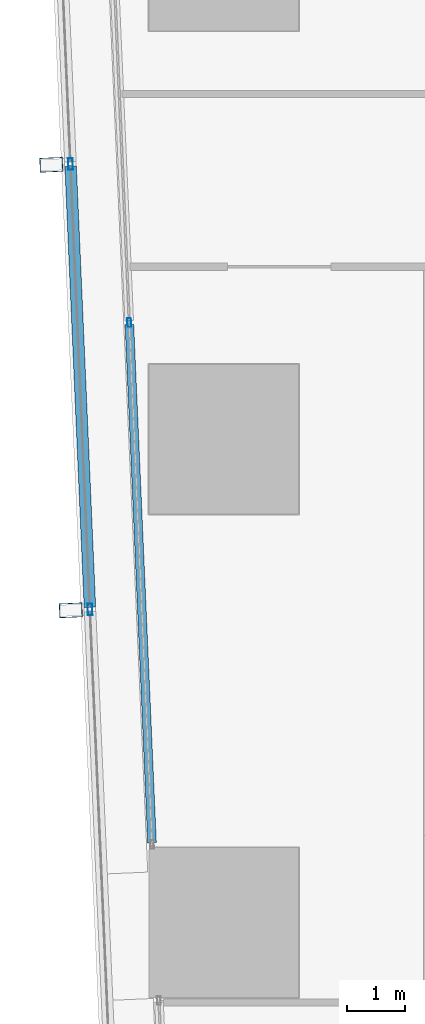
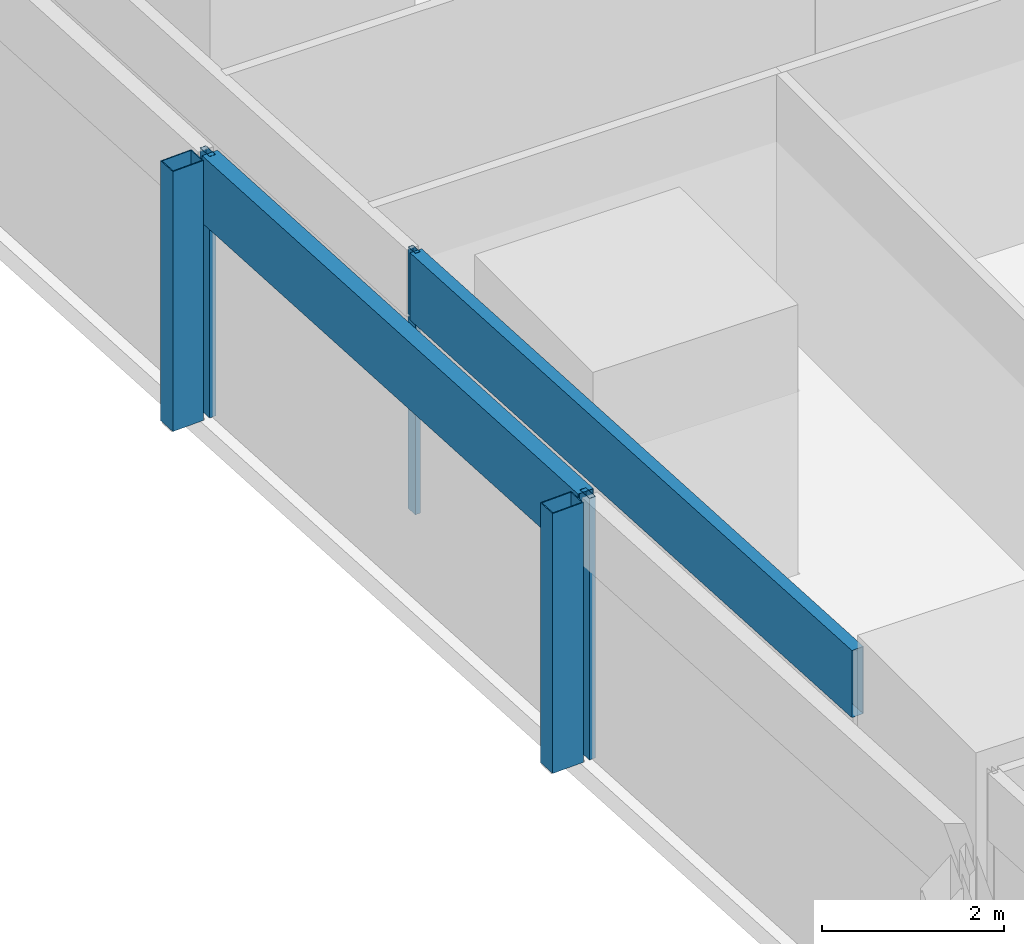
# One storey, part 7 of 46: 7 members, 2 elements without a shape of their own.
"""IFC4 building model written with IfcOpenShell, lengths in metres."""

import ifcopenshell
import ifcopenshell.guid

model = None  # the IFC model being written
_history = None  # IfcOwnerHistory: only IFC2X3 demands one
_inside = {}  # id of a spatial element -> (the spatial element, [elements in it])
_under = {}  # id of a project, library or spatial element -> (it, [spatial elements below it])
_declared = {}  # id of a project -> (the project, [libraries it declares])
_typed = {}  # id of a type object -> (the type object, [elements of that type])
_made_of = {}  # id of a material, layer set ... -> (it, [elements and type objects made of it])


def new_model(schema):
    """Start an empty IFC model of exactly this schema.

    Asked for "IFC4X3", IfcOpenShell would pick the latest addendum, in which some entities
    have other attributes; the version numbers below select the first issue.
    IFC2X3 requires an IfcOwnerHistory on every rooted entity: one is made here for all.
    """
    global model, _history
    if schema == "IFC4X3":
        model = ifcopenshell.file(schema_version=(4, 3, 0, 0))
    else:
        model = ifcopenshell.file(schema=schema)
    _inside.clear()
    _under.clear()
    _declared.clear()
    _typed.clear()
    _made_of.clear()
    _history = None
    if model.schema == "IFC2X3":
        org = make("IfcOrganization", Name="unknown")
        user = make(
            "IfcPersonAndOrganization",
            ThePerson=make("IfcPerson", FamilyName="unknown"),
            TheOrganization=org,
        )
        app = make(
            "IfcApplication",
            ApplicationDeveloper=org,
            Version="unknown",
            ApplicationFullName="unknown",
            ApplicationIdentifier="unknown",
        )
        _history = make(
            "IfcOwnerHistory",
            OwningUser=user,
            OwningApplication=app,
            ChangeAction="ADDED",
            CreationDate=0,
        )
    return model


def make(cls, **values):
    """One entity of the class cls with the attributes given. An attribute that is None is left unset."""
    return model.create_entity(
        cls, **{name: value for name, value in values.items() if value is not None}
    )


def rooted(cls, **values):
    """An entity with a GlobalId (a new one), such as an element, a storey or a relation."""
    return make(cls, GlobalId=ifcopenshell.guid.new(), OwnerHistory=_history, **values)


def si_unit(unit_type, name, prefix=None):
    """IfcSIUnit, for example si_unit("LENGTHUNIT", "METRE", prefix="MILLI")."""
    return make("IfcSIUnit", UnitType=unit_type, Prefix=prefix, Name=name)


def assignment(units):
    """IfcUnitAssignment: the units of a project."""
    return None if units is None else make("IfcUnitAssignment", Units=units)


def point(xyz):
    """IfcCartesianPoint."""
    return None if xyz is None else make("IfcCartesianPoint", Coordinates=xyz)


def direction(xyz):
    """IfcDirection."""
    return None if xyz is None else make("IfcDirection", DirectionRatios=xyz)


def frame(location, z_axis=None, x_axis=None):
    """IfcAxis2Placement3D, a coordinate frame: its origin and axes. An axis left out is left unset."""
    return make(
        "IfcAxis2Placement3D",
        Location=point(location),
        Axis=direction(z_axis),
        RefDirection=direction(x_axis),
    )


def frame_2d(location, x_axis=None):
    """IfcAxis2Placement2D, a coordinate frame in the plane: its origin and x axis."""
    return make(
        "IfcAxis2Placement2D", Location=point(location), RefDirection=direction(x_axis)
    )


def origin():
    """The frame at (0, 0, 0) with its axes left unset."""
    return frame((0.0, 0.0, 0.0))


def origin_2d():
    """The frame at (0, 0) in the plane with its x axis left unset."""
    return frame_2d((0.0, 0.0))


def place(relative_to, where):
    """IfcLocalPlacement: puts the frame where relative to a parent placement (None: the world)."""
    return make(
        "IfcLocalPlacement", PlacementRelTo=relative_to, RelativePlacement=where
    )


def context(
    kind, dimensions, precision=None, world=None, true_north=None, identifier=None
):
    """IfcGeometricRepresentationContext, for example the 3D "Model" context."""
    return make(
        "IfcGeometricRepresentationContext",
        ContextIdentifier=identifier,
        ContextType=kind,
        CoordinateSpaceDimension=dimensions,
        Precision=precision,
        WorldCoordinateSystem=world,
        TrueNorth=true_north,
    )


def subcontext(parent, identifier, kind, view, scale=None):
    """IfcGeometricRepresentationSubContext, for example "Body" below "Model"."""
    return make(
        "IfcGeometricRepresentationSubContext",
        ContextIdentifier=identifier,
        ContextType=kind,
        ParentContext=parent,
        TargetScale=scale,
        TargetView=view,
    )


def project(units=None, contexts=None):
    """IfcProject with its units and contexts."""
    return rooted(
        "IfcProject",
        Name="project",
        RepresentationContexts=contexts,
        UnitsInContext=assignment(units),
    )


def spatial(cls, under=None, at=None, **own):
    """A site, building, storey or space (cls), placed at a placement, below another one or the project."""
    s = rooted(cls, ObjectPlacement=at, **own)
    if under is not None:
        _under.setdefault(under.id(), (under, []))[1].append(s)
    return s


def profile(cls, at=None, kind="AREA", **sizes):
    """A parametric profile (cls). Its sizes go by their IFC names, for example OverallWidth=200.0."""
    return make(cls, ProfileType=kind, Position=at, **sizes)


def hollow_rectangle(**sizes):
    """IfcRectangleHollowProfileDef."""
    return profile("IfcRectangleHollowProfileDef", **sizes)


def extrude(swept, where, along, depth):
    """IfcExtrudedAreaSolid: the profile swept, set in the frame where, extruded along a direction by depth."""
    return make(
        "IfcExtrudedAreaSolid",
        SweptArea=swept,
        Position=where,
        ExtrudedDirection=direction(along),
        Depth=depth,
    )


def shape(context_of_items, identifier, shape_type, items):
    """IfcShapeRepresentation: the items that make up one representation, for example the "Body"."""
    return make(
        "IfcShapeRepresentation",
        ContextOfItems=context_of_items,
        RepresentationIdentifier=identifier,
        RepresentationType=shape_type,
        Items=items,
    )


def material(Name=None, Category=None):
    """IfcMaterial."""
    return make("IfcMaterial", Name=Name, Category=Category)


def material_profile(
    of_material, cross_section, Name=None, Category=None, Priority=None
):
    """IfcMaterialProfile: a cross section and its material."""
    return make(
        "IfcMaterialProfile",
        Name=Name,
        Material=of_material,
        Profile=cross_section,
        Priority=Priority,
        Category=Category,
    )


def profile_set(profiles, Name=None, composite=None):
    """IfcMaterialProfileSet."""
    return make(
        "IfcMaterialProfileSet",
        Name=Name,
        MaterialProfiles=profiles,
        CompositeProfile=composite,
    )


def made_of(thing, what):
    """Note that an element or type object is made of a material, layer set ...; save() writes the relation."""
    if what is not None:
        _made_of.setdefault(what.id(), (what, []))[1].append(thing)
    return thing


def type_object(cls, material=None, **own):
    """A type object (cls), such as IfcWallType, which elements share."""
    return made_of(rooted(cls, **own), material)


def element(
    cls,
    number,
    at=None,
    inside=None,
    cuts=None,
    type_object=None,
    material=None,
    context=None,
    identifier="Body",
    shape_type=None,
    held_by="IfcProductDefinitionShape",
    body=None,
    shapes=None,
    **own,
):
    """One element of the class cls, such as IfcWall. Its Tag is "e" and its number.

    at: its placement. inside: the storey or other place that contains it. cuts: it is an
    opening in that element (IfcRelVoidsElement). A single representation is given by context,
    identifier, shape_type and body (its items); several are given by shapes. held_by: the class
    of the entity that holds the representations. save() writes the other relations.
    """
    e = rooted(cls, Tag="e%d" % number, ObjectPlacement=at, **own)
    if body is not None:
        shapes = [shape(context, identifier, shape_type, body)]
    if shapes is not None:
        e.Representation = make(held_by, Representations=shapes)
    if inside is not None:
        _inside.setdefault(inside.id(), (inside, []))[1].append(e)
    if cuts is not None:
        rooted(
            "IfcRelVoidsElement", RelatingBuildingElement=cuts, RelatedOpeningElement=e
        )
    if type_object is not None:
        _typed.setdefault(type_object.id(), (type_object, []))[1].append(e)
    return made_of(e, material)


def aggregate(whole, parts):
    """IfcRelAggregates: a whole, such as a stair, and the parts it consists of."""
    return rooted("IfcRelAggregates", RelatingObject=whole, RelatedObjects=parts)


def save(model, path):
    """Write the relations noted so far, then the file.

    IfcRelAggregates (storeys below a building ...), IfcRelContainedInSpatialStructure (elements
    in a storey), IfcRelDefinesByType, IfcRelAssociatesMaterial and IfcRelDeclares: one each for
    every whole, place, type object, material and project.
    """
    for whole, parts in _under.values():
        aggregate(whole, parts)
    for where, things in _inside.values():
        rooted(
            "IfcRelContainedInSpatialStructure",
            RelatedElements=things,
            RelatingStructure=where,
        )
    for kind, things in _typed.values():
        rooted("IfcRelDefinesByType", RelatedObjects=things, RelatingType=kind)
    for what, things in _made_of.values():
        rooted("IfcRelAssociatesMaterial", RelatedObjects=things, RelatingMaterial=what)
    for by, libraries in _declared.values():
        rooted("IfcRelDeclares", RelatingContext=by, RelatedDefinitions=libraries)
    model.write(path)


model = new_model("IFC4")

# Units and contexts
model_context = context("Model", 3, precision=1e-05, world=origin(), true_north=direction((0.0, 1.0)))
body_context = subcontext(model_context, "Body", "Model", "MODEL_VIEW")
ifc_project = project(units=[si_unit("LENGTHUNIT", "METRE"), si_unit("AREAUNIT", "SQUARE_METRE"), si_unit("VOLUMEUNIT", "CUBIC_METRE"), si_unit("PLANEANGLEUNIT", "RADIAN"), si_unit("MASSUNIT", "GRAM", prefix="KILO")], contexts=[model_context])

# Site, building, storey
site_placement = place(None, origin())
site = spatial("IfcSite", under=ifc_project, at=site_placement, CompositionType="ELEMENT")
building_placement = place(site_placement, origin())
building = spatial("IfcBuilding", under=site, at=building_placement, Name="Rekha Terrace Tower", CompositionType="ELEMENT")
storey_placement = place(building_placement, frame((0.0, 0.0, 29.14990234375)))
storey = spatial("IfcBuildingStorey", under=building, at=storey_placement, Name="L06", CompositionType="ELEMENT", Elevation=29.14990234375)

# Curtain wall, members
ifc_material_1 = material(Name="Aluminium framing", Category="aluminium")
curtain_wall_type_1 = type_object("IfcCurtainWallType", Name="CW2 double skin outer glazing", PredefinedType="USERDEFINED", material=ifc_material_1)
curtain_wall_1_placement = place(storey_placement, origin())
curtain_wall_1 = element("IfcCurtainWall", 1, at=curtain_wall_1_placement, inside=storey, type_object=curtain_wall_type_1, Name="CW2 double skin outer glazing", ObjectType="DOUBLE SKIN OUTER GLAZING", PredefinedType="USERDEFINED")
ifc_material_2 = material(Name="Steel S355 with fluorocarbon finish", Category="steel")
ifc_material_profile_1 = material_profile(ifc_material_2, hollow_rectangle(XDim=0.25, YDim=0.39990234375, WallThickness=0.012451171875, at=origin_2d()), Name="RHS400x250x12.5")
ifc_profile_set_1 = profile_set([ifc_material_profile_1], Name="Steel S355 with fluorocarbon finish")
member_type_1 = type_object("IfcMemberType", Name="BL1 facade blade RHS 400 x 250", PredefinedType="USERDEFINED", material=ifc_profile_set_1)
member_1_placement = place(storey_placement, frame((5.40283203125, 29.97119140625, 0.02001953125), z_axis=(0.0, 0.0, 1.0), x_axis=(0.04368215933, -0.999045478923, 0.0)))
member_1 = element("IfcMember", 2, at=member_1_placement, type_object=member_type_1, Name="Facade blade", ObjectType="FACADE BLADE", PredefinedType="USERDEFINED", context=body_context, shape_type="SweptSolid", body=[
    extrude(hollow_rectangle(XDim=0.25, YDim=0.39990234375, WallThickness=0.012451171875, at=origin_2d()), origin(), (0.0, 0.0, 1.0), 3.47998046875),
])
member_2_placement = place(storey_placement, frame((5.74169921875, 22.226806640625, 0.02001953125), z_axis=(0.0, 0.0, 1.0), x_axis=(0.04368215933, -0.999045478923, 0.0)))
member_2 = element("IfcMember", 3, at=member_2_placement, type_object=member_type_1, Name="Facade blade", ObjectType="FACADE BLADE", PredefinedType="USERDEFINED", context=body_context, shape_type="SweptSolid", body=[
    extrude(hollow_rectangle(XDim=0.25, YDim=0.39990234375, WallThickness=0.012451171875, at=origin_2d()), origin(), (0.0, 0.0, 1.0), 3.47998046875),
])

curtain_wall_type_2 = type_object("IfcCurtainWallType", Name="CW1 double skin inner glazing", PredefinedType="USERDEFINED", material=ifc_material_1)
curtain_wall_2_placement = place(storey_placement, origin())
curtain_wall_2 = element("IfcCurtainWall", 4, at=curtain_wall_2_placement, inside=storey, type_object=curtain_wall_type_2, Name="CW1 double skin inner glazing", ObjectType="DOUBLE SKIN INNER GLAZING", PredefinedType="USERDEFINED")
ifc_material_3 = material(Name="Aluminium mullion section", Category="aluminium")
ifc_material_profile_2 = material_profile(ifc_material_3, hollow_rectangle(XDim=0.06494140625, YDim=0.14990234375, WallThickness=0.00390625, at=origin_2d()), Name="AL RHS 65x150")
ifc_profile_set_2 = profile_set([ifc_material_profile_2], Name="Aluminium mullion section")
member_type_2 = type_object("IfcMemberType", Name="CW1 mullion RHS 65 x 150", PredefinedType="MULLION", material=ifc_profile_set_2)
member_3_placement = place(storey_placement, frame((6.759033203125, 27.2294921875, 0.0), z_axis=(0.0, 0.0, 1.0), x_axis=(0.999045462133, 0.043682543337, 0.0)))
member_3 = element("IfcMember", 5, at=member_3_placement, type_object=member_type_2, Name="CW1 mullion 3", PredefinedType="MULLION", context=body_context, shape_type="SweptSolid", body=[
    extrude(hollow_rectangle(XDim=0.06494140625, YDim=0.14990234375, WallThickness=0.00390625, at=origin_2d()), origin(), (0.0, 0.0, 1.0), 3.5),
])
ifc_material_4 = material(Name="Insulated aluminium spandrel box", Category="aluminium")
ifc_material_profile_3 = material_profile(ifc_material_4, hollow_rectangle(XDim=0.14990234375, YDim=0.89990234375, WallThickness=0.0029296875, at=origin_2d()), Name="AL SPANDREL BOX 150x900")
ifc_profile_set_3 = profile_set([ifc_material_profile_3], Name="Insulated aluminium spandrel box")
member_type_3 = type_object("IfcMemberType", Name="CW1 spandrel transom 150 x 900", PredefinedType="USERDEFINED", material=ifc_profile_set_3)
member_4_placement = place(storey_placement, frame((6.760498046875, 27.197021484375, 3.050048828125), z_axis=(0.043667490228, -0.999046120205, 0.0), x_axis=(0.999046120205, 0.043667490228, 0.0)))
member_4 = element("IfcMember", 6, at=member_4_placement, type_object=member_type_3, Name="CW1 spandrel transom 3", ObjectType="TRANSOM", PredefinedType="USERDEFINED", context=body_context, shape_type="SweptSolid", body=[
    extrude(hollow_rectangle(XDim=0.14990234375, YDim=0.89990234375, WallThickness=0.0029296875, at=origin_2d()), origin(), (0.0, 0.0, 1.0), 9.01806640625),
])
aggregate(curtain_wall_2, [member_3, member_4])

# Member
ifc_material_profile_4 = material_profile(ifc_material_3, hollow_rectangle(XDim=0.080078125, YDim=0.199951171875, WallThickness=0.00390625, at=origin_2d()), Name="AL RHS 80x200")
ifc_profile_set_4 = profile_set([ifc_material_profile_4], Name="Aluminium mullion section")
member_type_4 = type_object("IfcMemberType", Name="CW2 mullion RHS 80 x 200", PredefinedType="MULLION", material=ifc_profile_set_4)
member_5_placement = place(storey_placement, frame((5.737548828125, 29.98583984375, 0.0), z_axis=(0.0, 0.0, 1.0), x_axis=(0.999045462131, 0.043682543372, 0.0)))
member_5 = element("IfcMember", 7, at=member_5_placement, type_object=member_type_4, Name="CW2 mullion 3", PredefinedType="MULLION", context=body_context, shape_type="SweptSolid", body=[
    extrude(hollow_rectangle(XDim=0.080078125, YDim=0.199951171875, WallThickness=0.00390625, at=origin_2d()), origin(), (0.0, 0.0, 1.0), 3.5),
])

member_6_placement = place(storey_placement, frame((6.076171875, 22.241455078125, 0.0), z_axis=(0.0, 0.0, 1.0), x_axis=(0.999045462131, 0.043682543372, 0.0)))
member_6 = element("IfcMember", 8, at=member_6_placement, type_object=member_type_4, Name="CW2 mullion 4", PredefinedType="MULLION", context=body_context, shape_type="SweptSolid", body=[
    extrude(hollow_rectangle(XDim=0.080078125, YDim=0.199951171875, WallThickness=0.00390625, at=origin_2d()), origin(), (0.0, 0.0, 1.0), 3.5),
])

ifc_material_profile_5 = material_profile(ifc_material_4, hollow_rectangle(XDim=0.199951171875, YDim=0.89990234375, WallThickness=0.0029296875, at=origin_2d()), Name="AL SPANDREL BOX 200x900")
ifc_profile_set_5 = profile_set([ifc_material_profile_5], Name="Insulated aluminium spandrel box")
member_type_5 = type_object("IfcMemberType", Name="CW2 spandrel transom 200 x 900", PredefinedType="USERDEFINED", material=ifc_profile_set_5)
member_7_placement = place(storey_placement, frame((5.7392578125, 29.94580078125, 3.050048828125), z_axis=(0.04369270591, -0.99904501773, 0.0), x_axis=(0.99904501773, 0.04369270591, 0.0)))
member_7 = element("IfcMember", 9, at=member_7_placement, type_object=member_type_5, Name="CW2 spandrel transom 3", ObjectType="TRANSOM", PredefinedType="USERDEFINED", context=body_context, shape_type="SweptSolid", body=[
    extrude(hollow_rectangle(XDim=0.199951171875, YDim=0.89990234375, WallThickness=0.0029296875, at=origin_2d()), origin(), (0.0, 0.0, 1.0), 7.671875),
])

aggregate(curtain_wall_1, [member_5, member_6, member_7, member_1, member_2])

save(model, "model.ifc")
